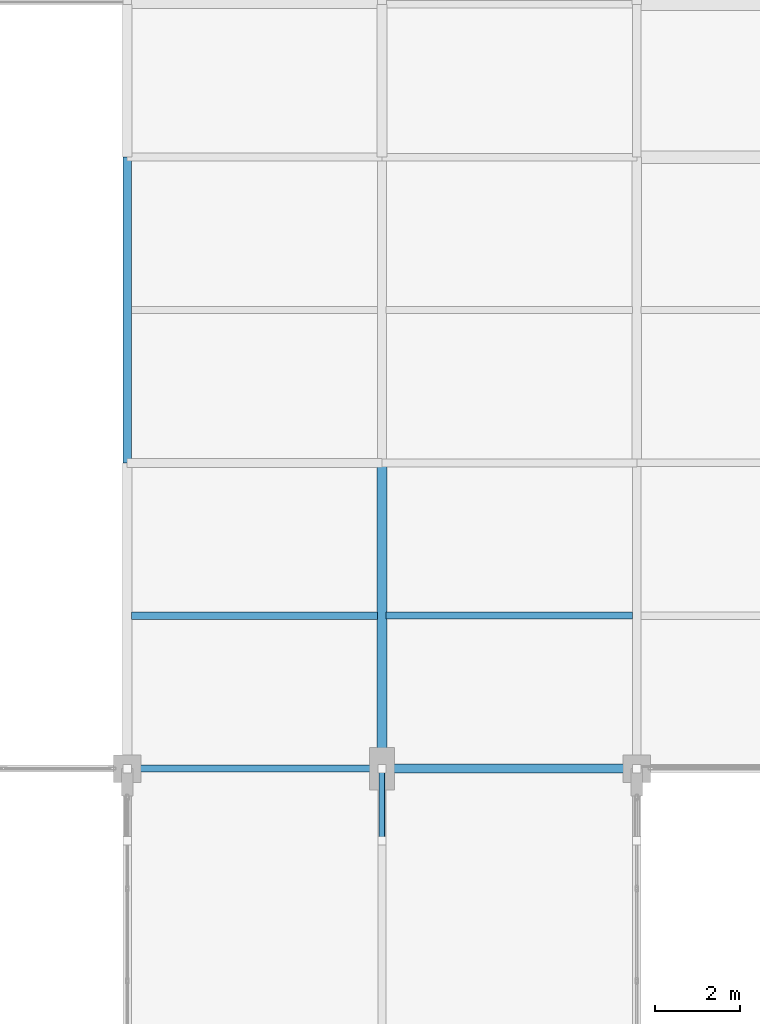
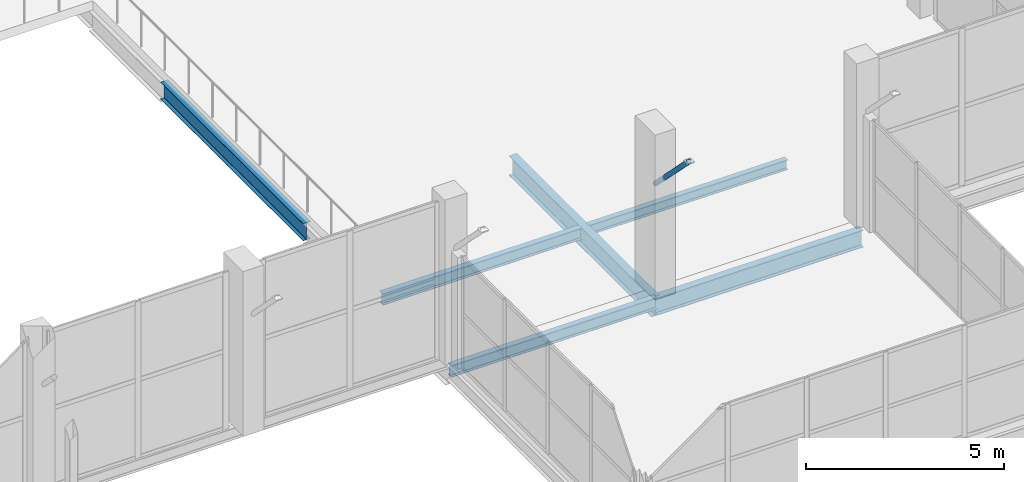
# One storey, part 31 of 127: 6 beams, 1 member.
"""IFC4 building model written with IfcOpenShell, lengths in metres."""

import ifcopenshell
import ifcopenshell.guid

model = None  # the IFC model being written
_history = None  # IfcOwnerHistory: only IFC2X3 demands one
_inside = {}  # id of a spatial element -> (the spatial element, [elements in it])
_under = {}  # id of a project, library or spatial element -> (it, [spatial elements below it])
_declared = {}  # id of a project -> (the project, [libraries it declares])
_typed = {}  # id of a type object -> (the type object, [elements of that type])
_made_of = {}  # id of a material, layer set ... -> (it, [elements and type objects made of it])


def new_model(schema):
    """Start an empty IFC model of exactly this schema.

    Asked for "IFC4X3", IfcOpenShell would pick the latest addendum, in which some entities
    have other attributes; the version numbers below select the first issue.
    IFC2X3 requires an IfcOwnerHistory on every rooted entity: one is made here for all.
    """
    global model, _history
    if schema == "IFC4X3":
        model = ifcopenshell.file(schema_version=(4, 3, 0, 0))
    else:
        model = ifcopenshell.file(schema=schema)
    _inside.clear()
    _under.clear()
    _declared.clear()
    _typed.clear()
    _made_of.clear()
    _history = None
    if model.schema == "IFC2X3":
        org = make("IfcOrganization", Name="unknown")
        user = make(
            "IfcPersonAndOrganization",
            ThePerson=make("IfcPerson", FamilyName="unknown"),
            TheOrganization=org,
        )
        app = make(
            "IfcApplication",
            ApplicationDeveloper=org,
            Version="unknown",
            ApplicationFullName="unknown",
            ApplicationIdentifier="unknown",
        )
        _history = make(
            "IfcOwnerHistory",
            OwningUser=user,
            OwningApplication=app,
            ChangeAction="ADDED",
            CreationDate=0,
        )
    return model


def make(cls, **values):
    """One entity of the class cls with the attributes given. An attribute that is None is left unset."""
    return model.create_entity(
        cls, **{name: value for name, value in values.items() if value is not None}
    )


def rooted(cls, **values):
    """An entity with a GlobalId (a new one), such as an element, a storey or a relation."""
    return make(cls, GlobalId=ifcopenshell.guid.new(), OwnerHistory=_history, **values)


def si_unit(unit_type, name, prefix=None):
    """IfcSIUnit, for example si_unit("LENGTHUNIT", "METRE", prefix="MILLI")."""
    return make("IfcSIUnit", UnitType=unit_type, Prefix=prefix, Name=name)


def assignment(units):
    """IfcUnitAssignment: the units of a project."""
    return None if units is None else make("IfcUnitAssignment", Units=units)


def point(xyz):
    """IfcCartesianPoint."""
    return None if xyz is None else make("IfcCartesianPoint", Coordinates=xyz)


def direction(xyz):
    """IfcDirection."""
    return None if xyz is None else make("IfcDirection", DirectionRatios=xyz)


def frame(location, z_axis=None, x_axis=None):
    """IfcAxis2Placement3D, a coordinate frame: its origin and axes. An axis left out is left unset."""
    return make(
        "IfcAxis2Placement3D",
        Location=point(location),
        Axis=direction(z_axis),
        RefDirection=direction(x_axis),
    )


def frame_2d(location, x_axis=None):
    """IfcAxis2Placement2D, a coordinate frame in the plane: its origin and x axis."""
    return make(
        "IfcAxis2Placement2D", Location=point(location), RefDirection=direction(x_axis)
    )


def origin():
    """The frame at (0, 0, 0) with its axes left unset."""
    return frame((0.0, 0.0, 0.0))


def origin_2d():
    """The frame at (0, 0) in the plane with its x axis left unset."""
    return frame_2d((0.0, 0.0))


def place(relative_to, where):
    """IfcLocalPlacement: puts the frame where relative to a parent placement (None: the world)."""
    return make(
        "IfcLocalPlacement", PlacementRelTo=relative_to, RelativePlacement=where
    )


def context(
    kind, dimensions, precision=None, world=None, true_north=None, identifier=None
):
    """IfcGeometricRepresentationContext, for example the 3D "Model" context."""
    return make(
        "IfcGeometricRepresentationContext",
        ContextIdentifier=identifier,
        ContextType=kind,
        CoordinateSpaceDimension=dimensions,
        Precision=precision,
        WorldCoordinateSystem=world,
        TrueNorth=true_north,
    )


def subcontext(parent, identifier, kind, view, scale=None):
    """IfcGeometricRepresentationSubContext, for example "Body" below "Model"."""
    return make(
        "IfcGeometricRepresentationSubContext",
        ContextIdentifier=identifier,
        ContextType=kind,
        ParentContext=parent,
        TargetScale=scale,
        TargetView=view,
    )


def project(units=None, contexts=None):
    """IfcProject with its units and contexts."""
    return rooted(
        "IfcProject",
        Name="project",
        RepresentationContexts=contexts,
        UnitsInContext=assignment(units),
    )


def spatial(cls, under=None, at=None, **own):
    """A site, building, storey or space (cls), placed at a placement, below another one or the project."""
    s = rooted(cls, ObjectPlacement=at, **own)
    if under is not None:
        _under.setdefault(under.id(), (under, []))[1].append(s)
    return s


def profile(cls, at=None, kind="AREA", **sizes):
    """A parametric profile (cls). Its sizes go by their IFC names, for example OverallWidth=200.0."""
    return make(cls, ProfileType=kind, Position=at, **sizes)


def hollow_circle(**sizes):
    """IfcCircleHollowProfileDef."""
    return profile("IfcCircleHollowProfileDef", **sizes)


def i_section(**sizes):
    """IfcIShapeProfileDef."""
    return profile("IfcIShapeProfileDef", **sizes)


def extrude(swept, where, along, depth):
    """IfcExtrudedAreaSolid: the profile swept, set in the frame where, extruded along a direction by depth."""
    return make(
        "IfcExtrudedAreaSolid",
        SweptArea=swept,
        Position=where,
        ExtrudedDirection=direction(along),
        Depth=depth,
    )


def shape(context_of_items, identifier, shape_type, items):
    """IfcShapeRepresentation: the items that make up one representation, for example the "Body"."""
    return make(
        "IfcShapeRepresentation",
        ContextOfItems=context_of_items,
        RepresentationIdentifier=identifier,
        RepresentationType=shape_type,
        Items=items,
    )


def material(Name=None, Category=None):
    """IfcMaterial."""
    return make("IfcMaterial", Name=Name, Category=Category)


def material_profile(
    of_material, cross_section, Name=None, Category=None, Priority=None
):
    """IfcMaterialProfile: a cross section and its material."""
    return make(
        "IfcMaterialProfile",
        Name=Name,
        Material=of_material,
        Profile=cross_section,
        Priority=Priority,
        Category=Category,
    )


def profile_set(profiles, Name=None, composite=None):
    """IfcMaterialProfileSet."""
    return make(
        "IfcMaterialProfileSet",
        Name=Name,
        MaterialProfiles=profiles,
        CompositeProfile=composite,
    )


def made_of(thing, what):
    """Note that an element or type object is made of a material, layer set ...; save() writes the relation."""
    if what is not None:
        _made_of.setdefault(what.id(), (what, []))[1].append(thing)
    return thing


def type_object(cls, material=None, **own):
    """A type object (cls), such as IfcWallType, which elements share."""
    return made_of(rooted(cls, **own), material)


def element(
    cls,
    number,
    at=None,
    inside=None,
    cuts=None,
    type_object=None,
    material=None,
    context=None,
    identifier="Body",
    shape_type=None,
    held_by="IfcProductDefinitionShape",
    body=None,
    shapes=None,
    **own,
):
    """One element of the class cls, such as IfcWall. Its Tag is "e" and its number.

    at: its placement. inside: the storey or other place that contains it. cuts: it is an
    opening in that element (IfcRelVoidsElement). A single representation is given by context,
    identifier, shape_type and body (its items); several are given by shapes. held_by: the class
    of the entity that holds the representations. save() writes the other relations.
    """
    e = rooted(cls, Tag="e%d" % number, ObjectPlacement=at, **own)
    if body is not None:
        shapes = [shape(context, identifier, shape_type, body)]
    if shapes is not None:
        e.Representation = make(held_by, Representations=shapes)
    if inside is not None:
        _inside.setdefault(inside.id(), (inside, []))[1].append(e)
    if cuts is not None:
        rooted(
            "IfcRelVoidsElement", RelatingBuildingElement=cuts, RelatedOpeningElement=e
        )
    if type_object is not None:
        _typed.setdefault(type_object.id(), (type_object, []))[1].append(e)
    return made_of(e, material)


def aggregate(whole, parts):
    """IfcRelAggregates: a whole, such as a stair, and the parts it consists of."""
    return rooted("IfcRelAggregates", RelatingObject=whole, RelatedObjects=parts)


def save(model, path):
    """Write the relations noted so far, then the file.

    IfcRelAggregates (storeys below a building ...), IfcRelContainedInSpatialStructure (elements
    in a storey), IfcRelDefinesByType, IfcRelAssociatesMaterial and IfcRelDeclares: one each for
    every whole, place, type object, material and project.
    """
    for whole, parts in _under.values():
        aggregate(whole, parts)
    for where, things in _inside.values():
        rooted(
            "IfcRelContainedInSpatialStructure",
            RelatedElements=things,
            RelatingStructure=where,
        )
    for kind, things in _typed.values():
        rooted("IfcRelDefinesByType", RelatedObjects=things, RelatingType=kind)
    for what, things in _made_of.values():
        rooted("IfcRelAssociatesMaterial", RelatedObjects=things, RelatingMaterial=what)
    for by, libraries in _declared.values():
        rooted("IfcRelDeclares", RelatingContext=by, RelatedDefinitions=libraries)
    model.write(path)


model = new_model("IFC4")

# Units and contexts
model_context = context("Model", 3, precision=1e-05, world=origin(), true_north=direction((0.0, 1.0)))
body_context = subcontext(model_context, "Body", "Model", "MODEL_VIEW")
ifc_project = project(units=[si_unit("LENGTHUNIT", "METRE"), si_unit("AREAUNIT", "SQUARE_METRE"), si_unit("VOLUMEUNIT", "CUBIC_METRE"), si_unit("PLANEANGLEUNIT", "RADIAN"), si_unit("MASSUNIT", "GRAM", prefix="KILO")], contexts=[model_context])

# Site, building, storey
site_placement = place(None, origin())
site = spatial("IfcSite", under=ifc_project, at=site_placement, CompositionType="ELEMENT")
building_placement = place(site_placement, origin())
building = spatial("IfcBuilding", under=site, at=building_placement, Name="Dunvalen Ferry Terminal", CompositionType="ELEMENT")
storey_placement = place(building_placement, frame((0.0, 0.0, 5.760009765625)))
storey = spatial("IfcBuildingStorey", under=building, at=storey_placement, Name="L01", CompositionType="ELEMENT", Elevation=5.760009765625)

# Beams
ifc_material = material(Name="Steel S355", Category="steel")
ifc_material_profile_1 = material_profile(ifc_material, i_section(OverallWidth=0.169921875, OverallDepth=0.360107421875, WebThickness=0.008056640625, FlangeThickness=0.0126953125, FilletRadius=0.01806640625, at=origin_2d()), Name="Steel S355")
ifc_profile_set_1 = profile_set([ifc_material_profile_1], Name="Steel S355")
beam_type_1 = type_object("IfcBeamType", Name="STR-BM-IPE360", PredefinedType="BEAM", material=ifc_profile_set_1)
beam_1_placement = place(storey_placement, frame((78.0, 50.39990234375, -0.4599609375), z_axis=(1.0, 0.0, 0.0), x_axis=(0.0, 1.0, 0.0)))
element("IfcBeam", 1, at=beam_1_placement, inside=storey, type_object=beam_type_1, Name="L01 V1M Primary Beam X-005", PredefinedType="BEAM", context=body_context, shape_type="SweptSolid", body=[
    extrude(i_section(OverallWidth=0.169921875, OverallDepth=0.360107421875, WebThickness=0.008056640625, FlangeThickness=0.0126953125, FilletRadius=0.01806640625, at=origin_2d()), origin(), (0.0, 0.0, 1.0), 6.0),
])
ifc_material_profile_2 = material_profile(ifc_material, i_section(OverallWidth=0.1650390625, OverallDepth=0.303466796875, WebThickness=0.006103515625, FlangeThickness=0.01025390625, FilletRadius=0.0087890625, at=origin_2d()), Name="Steel S355")
ifc_profile_set_2 = profile_set([ifc_material_profile_2], Name="Steel S355")
beam_type_2 = type_object("IfcBeamType", Name="STR-BM-UKB305", PredefinedType="JOIST", material=ifc_profile_set_2)
beam_2_placement = place(storey_placement, frame((84.10009765625, 54.0, -0.431640625), z_axis=(1.0, 0.0, 0.0), x_axis=(0.0, 1.0, 0.0)))
element("IfcBeam", 2, at=beam_2_placement, inside=storey, type_object=beam_type_2, Name="L01 V1M Secondary Joist 031", PredefinedType="JOIST", context=body_context, shape_type="SweptSolid", body=[
    extrude(i_section(OverallWidth=0.1650390625, OverallDepth=0.303466796875, WebThickness=0.006103515625, FlangeThickness=0.01025390625, FilletRadius=0.0087890625, at=origin_2d()), origin(), (0.0, 0.0, 1.0), 5.7998046875),
])
ifc_material_profile_3 = material_profile(ifc_material, i_section(OverallWidth=0.17138671875, OverallDepth=0.35498046875, WebThickness=0.00732421875, FlangeThickness=0.011474609375, FilletRadius=0.01025390625, at=origin_2d()), Name="Steel S355")
ifc_profile_set_3 = profile_set([ifc_material_profile_3], Name="Steel S355")
beam_type_3 = type_object("IfcBeamType", Name="STR-BM-UKB356", PredefinedType="JOIST", material=ifc_profile_set_3)
beam_3_placement = place(storey_placement, frame((78.10009765625, 54.0, -0.45751953125), z_axis=(1.0, 0.0, 0.0), x_axis=(0.0, 1.0, 0.0)))
element("IfcBeam", 3, at=beam_3_placement, inside=storey, type_object=beam_type_3, Name="L01 V1M Secondary Joist 028", PredefinedType="JOIST", context=body_context, shape_type="SweptSolid", body=[
    extrude(i_section(OverallWidth=0.17138671875, OverallDepth=0.35498046875, WebThickness=0.00732421875, FlangeThickness=0.011474609375, FilletRadius=0.01025390625, at=origin_2d()), origin(), (0.0, 0.0, 1.0), 5.7998046875),
])
ifc_material_profile_4 = material_profile(ifc_material, i_section(OverallWidth=0.209228515625, OverallDepth=0.533203125, WebThickness=0.010009765625, FlangeThickness=0.015625, FilletRadius=0.0126953125, at=origin_2d()), Name="Steel S355")
ifc_profile_set_4 = profile_set([ifc_material_profile_4], Name="Steel S355")
beam_type_4 = type_object("IfcBeamType", Name="STR-BM-UKB533", PredefinedType="BEAM", material=ifc_profile_set_4)
beam_4_placement = place(storey_placement, frame((84.0, 50.39990234375, -0.546630859375), z_axis=(1.0, 0.0, 0.0), x_axis=(0.0, 1.0, 0.0)))
element("IfcBeam", 4, at=beam_4_placement, inside=storey, type_object=beam_type_4, Name="L01 V1M Primary Beam X-006", PredefinedType="BEAM", context=body_context, shape_type="SweptSolid", body=[
    extrude(i_section(OverallWidth=0.209228515625, OverallDepth=0.533203125, WebThickness=0.010009765625, FlangeThickness=0.015625, FilletRadius=0.0126953125, at=origin_2d()), origin(), (0.0, 0.0, 1.0), 6.0),
])
beam_5_placement = place(storey_placement, frame((78.0, 57.60009765625, -0.546630859375), z_axis=(0.0, 1.0, 0.0), x_axis=(-1.0, 0.0, 0.0)))
element("IfcBeam", 5, at=beam_5_placement, inside=storey, type_object=beam_type_4, Name="L01 V1M Primary Girder Y-123", PredefinedType="BEAM", context=body_context, shape_type="SweptSolid", body=[
    extrude(i_section(OverallWidth=0.209228515625, OverallDepth=0.533203125, WebThickness=0.010009765625, FlangeThickness=0.015625, FilletRadius=0.0126953125, at=origin_2d()), origin(), (0.0, 0.0, 1.0), 7.199951171875),
])
ifc_material_profile_5 = material_profile(ifc_material, i_section(OverallWidth=0.228271484375, OverallDepth=0.607666015625, WebThickness=0.010986328125, FlangeThickness=0.017333984375, FilletRadius=0.0126953125, at=origin_2d()), Name="Steel S355")
ifc_profile_set_5 = profile_set([ifc_material_profile_5], Name="Steel S355")
beam_type_5 = type_object("IfcBeamType", Name="STR-BM-UKB610", PredefinedType="BEAM", material=ifc_profile_set_5)
beam_6_placement = place(storey_placement, frame((84.0, 50.39990234375, -0.583740234375), z_axis=(0.0, 1.0, 0.0), x_axis=(-1.0, 0.0, 0.0)))
element("IfcBeam", 6, at=beam_6_placement, inside=storey, type_object=beam_type_5, Name="L01 V1M Primary Girder Y-128", PredefinedType="BEAM", context=body_context, shape_type="SweptSolid", body=[
    extrude(i_section(OverallWidth=0.228271484375, OverallDepth=0.607666015625, WebThickness=0.010986328125, FlangeThickness=0.017333984375, FilletRadius=0.0126953125, at=origin_2d()), origin(), (0.0, 0.0, 1.0), 7.2001953125),
])

# Member
ifc_material_profile_6 = material_profile(ifc_material, hollow_circle(Radius=0.06982421875, WallThickness=0.00634765625, at=origin_2d()), Name="Steel S355")
ifc_profile_set_6 = profile_set([ifc_material_profile_6], Name="Steel S355")
member_type = type_object("IfcMemberType", Name="STR-MB-CHS139", PredefinedType="BRACE", material=ifc_profile_set_6)
member_placement = place(storey_placement, frame((84.0, 50.39990234375, 3.18994140625), z_axis=(0.0, -0.705028038092, 0.709179431106), x_axis=(1.0, 0.0, 0.0)))
element("IfcMember", 7, at=member_placement, inside=storey, type_object=member_type, Name="Departure Hall South Eave Knee Strut 13", PredefinedType="BRACE", context=body_context, shape_type="SweptSolid", body=[
    extrude(hollow_circle(Radius=0.06982421875, WallThickness=0.00634765625, at=origin_2d()), origin(), (0.0, 0.0, 1.0), 2.4111328125),
])

save(model, "model.ifc")
